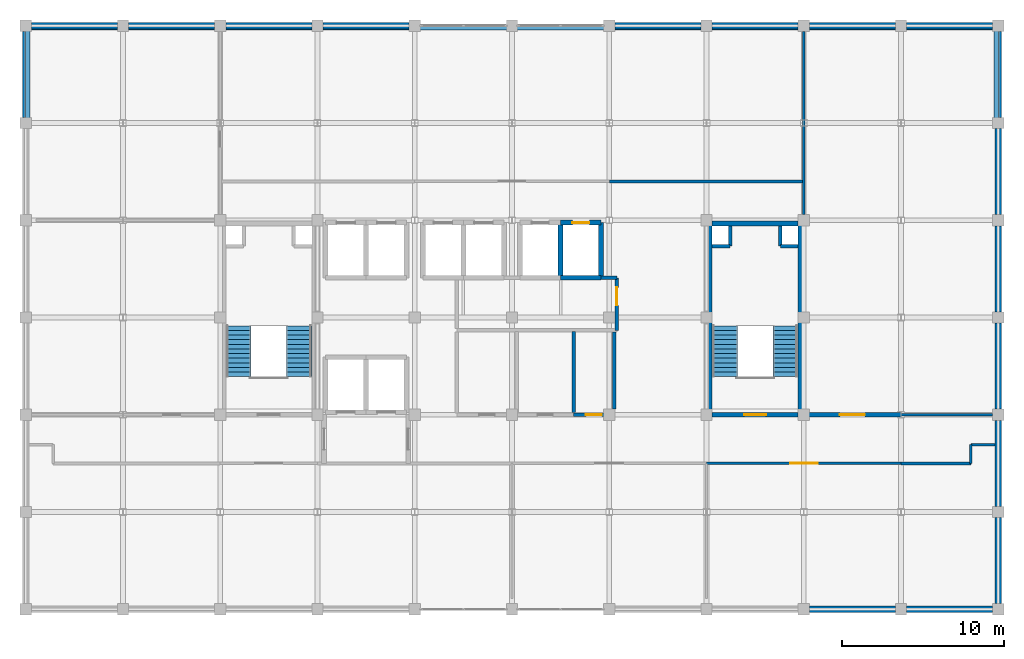
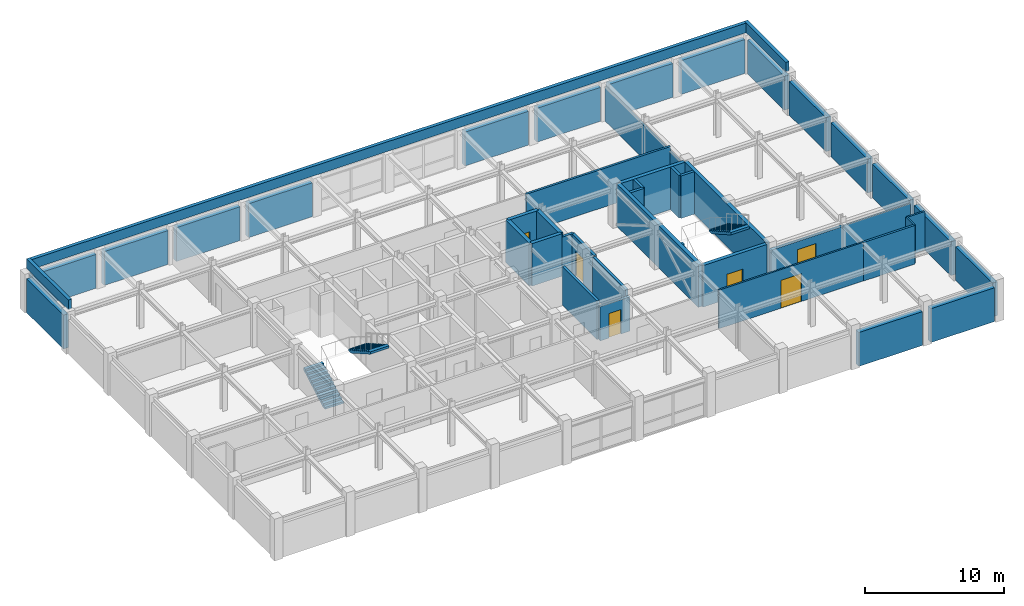
# One storey, part 11 of 12: 45 walls, 6 doors, 4 stair flights, 6 openings, 2 elements without a shape of their own.
"""IFC4 building model written with IfcOpenShell, lengths in metres."""

from ifc_helpers import new_model, si_unit, direction, frame, frame_2d, origin, place, context, subcontext, project, spatial, polyline, rectangle, outline, extrude, material, layer, layer_set, type_object, element, fill, aggregate, save


model = new_model("IFC4")

# Units and contexts
model_context = context("Model", 3, precision=1e-05, world=origin(), true_north=direction((0.0, 1.0)))
body_context = subcontext(model_context, "Body", "Model", "MODEL_VIEW")
ifc_project = project(units=[si_unit("LENGTHUNIT", "METRE"), si_unit("AREAUNIT", "SQUARE_METRE"), si_unit("VOLUMEUNIT", "CUBIC_METRE"), si_unit("PLANEANGLEUNIT", "RADIAN"), si_unit("MASSUNIT", "GRAM", prefix="KILO")], contexts=[model_context])

# Site, building, storey
site_placement = place(None, origin())
site = spatial("IfcSite", under=ifc_project, at=site_placement, CompositionType="ELEMENT")
building_placement = place(site_placement, origin())
building = spatial("IfcBuilding", under=site, at=building_placement, Name="Zlatovratsky Civic Hall", CompositionType="ELEMENT")
storey_placement = place(building_placement, frame((0.0, 0.0, 32.699951171875)))
storey = spatial("IfcBuildingStorey", under=building, at=storey_placement, Name="L08", CompositionType="ELEMENT", Elevation=32.699951171875)

# Walls
ifc_material_1 = material(Name="Acoustic ceramic blockwork", Category="masonry")
ifc_layer_1 = layer(ifc_material_1, 0.179931640625)
ifc_layer_set_1 = layer_set([ifc_layer_1], Name="Acoustic ceramic blockwork")
wall_type_1 = type_object("IfcWallType", Name="Wall_AcousticChamberPartition_180", PredefinedType="PARTITIONING", material=ifc_layer_set_1)
wall_1_placement = place(storey_placement, frame((108.0, 81.0, 0.0), z_axis=(0.0, 0.0, 1.0), x_axis=(1.0, 0.0, 0.0)))
element("IfcWall", 1, at=wall_1_placement, inside=storey, type_object=wall_type_1, Name="WL-6427", PredefinedType="PARTITIONING", context=body_context, shape_type="SweptSolid", body=[
    extrude(rectangle(XDim=4.300048828125, YDim=0.179931640625, at=frame_2d((2.14990234375, 0.0))), origin(), (0.0, 0.0, 1.0), 3.400146484375),
])
wall_2_placement = place(storey_placement, frame((90.0, 98.39990234375, 0.0), z_axis=(0.0, 0.0, 1.0), x_axis=(1.0, 0.0, 0.0)))
element("IfcWall", 2, at=wall_2_placement, inside=storey, type_object=wall_type_1, Name="WL-6433", PredefinedType="PARTITIONING", context=body_context, shape_type="SweptSolid", body=[
    extrude(rectangle(XDim=12.0, YDim=0.179931640625, at=frame_2d((6.0, 0.0))), origin(), (0.0, 0.0, 1.0), 3.400146484375),
])

# Wall, opening, door
ifc_layer_2 = layer(ifc_material_1, 0.260009765625)
ifc_layer_set_2 = layer_set([ifc_layer_2], Name="Acoustic ceramic blockwork")
wall_type_2 = type_object("IfcWallType", Name="Wall_ArchiveCompartment_260", PredefinedType="PARTITIONING", material=ifc_layer_set_2)
wall_3_placement = place(storey_placement, frame((102.0, 84.0, 0.0), z_axis=(0.0, 0.0, 1.0), x_axis=(1.0, 0.0, 0.0)))
wall_3 = element("IfcWall", 3, at=wall_3_placement, inside=storey, type_object=wall_type_2, Name="WL-6416", PredefinedType="PARTITIONING", context=body_context, shape_type="SweptSolid", body=[
    extrude(rectangle(XDim=6.0, YDim=0.260009765625, at=frame_2d((3.0, 0.0))), origin(), (0.0, 0.0, 1.0), 3.011962890625),
])
opening_1_placement = place(wall_3_placement, frame((2.22509765625, 0.0, 0.0)))
opening_1 = element("IfcOpeningElement", 4, at=opening_1_placement, cuts=wall_3, Name="Opening D-15", PredefinedType="OPENING", context=body_context, shape_type="SweptSolid", body=[
    extrude(rectangle(XDim=1.550048828125, YDim=2.300048828125, at=frame_2d((0.77490234375, 1.14990234375))), frame((0.0, 0.14501953125, 0.0), z_axis=(0.0, -1.0, 0.0), x_axis=(1.0, 0.0, 0.0)), (0.0, 0.0, 1.0), 0.289794921875),
])
ifc_material_2 = material(Name="Insulated painted fire-rated steel leaf", Category="steel")
door_type_1 = type_object("IfcDoorType", Name="Door_CompactArchiveFire_1550x2300", OperationType="DOUBLE_DOOR_SINGLE_SWING", PredefinedType="DOOR", material=ifc_material_2)
door_1_placement = place(opening_1_placement, origin())
door_1 = element("IfcDoor", 5, at=door_1_placement, inside=storey, type_object=door_type_1, Name="DR-5413", OperationType="DOUBLE_DOOR_SINGLE_SWING", OverallHeight=2.300048828125, OverallWidth=1.550048828125, PredefinedType="DOOR", context=body_context, shape_type="SweptSolid", body=[
    extrude(rectangle(XDim=1.550048828125, YDim=2.300048828125, at=frame_2d((0.77490234375, 1.14990234375))), frame((0.0, 0.02490234375, 0.0), z_axis=(0.0, -1.0, 0.0), x_axis=(1.0, 0.0, 0.0)), (0.0, 0.0, 1.0), 0.050048828125),
])
fill(opening_1, door_1)

ifc_material_3 = material(Name="Fire-rated gypsum board framing", Category="gypsum")
ifc_layer_3 = layer(ifc_material_3, 0.139892578125)
ifc_layer_set_3 = layer_set([ifc_layer_3], Name="Fire-rated gypsum board framing")
wall_type_3 = type_object("IfcWallType", Name="Wall_OfficePartition_140", PredefinedType="PARTITIONING", material=ifc_layer_set_3)
wall_4_placement = place(storey_placement, frame((96.0, 81.0, 0.0), z_axis=(0.0, 0.0, 1.0), x_axis=(1.0, 0.0, 0.0)))
wall_4 = element("IfcWall", 6, at=wall_4_placement, inside=storey, type_object=wall_type_3, Name="WL-6413", PredefinedType="PARTITIONING", context=body_context, shape_type="SweptSolid", body=[
    extrude(rectangle(XDim=12.0, YDim=0.139892578125, at=frame_2d((6.0, 0.0))), origin(), (0.0, 0.0, 1.0), 3.400146484375),
])
opening_2_placement = place(wall_4_placement, frame((5.14990234375, 0.0, 0.0)))
opening_2 = element("IfcOpeningElement", 7, at=opening_2_placement, cuts=wall_4, Name="Opening D-26", PredefinedType="OPENING", context=body_context, shape_type="SweptSolid", body=[
    extrude(rectangle(XDim=1.699951171875, YDim=2.449951171875, at=frame_2d((0.85009765625, 1.22509765625))), frame((0.0, 0.0849609375, 0.0), z_axis=(0.0, -1.0, 0.0), x_axis=(1.0, 0.0, 0.0)), (0.0, 0.0, 1.0), 0.169677734375),
])
ifc_material_4 = material(Name="Solid oak joinery in steel frame", Category="steel")
door_type_2 = type_object("IfcDoorType", Name="Door_CommissionBoardroom_1700x2450", OperationType="DOUBLE_DOOR_SINGLE_SWING", PredefinedType="DOOR", material=ifc_material_4)
door_2_placement = place(opening_2_placement, origin())
door_2 = element("IfcDoor", 8, at=door_2_placement, inside=storey, type_object=door_type_2, Name="DR-5410", OperationType="DOUBLE_DOOR_SINGLE_SWING", OverallHeight=2.449951171875, OverallWidth=1.699951171875, PredefinedType="DOOR", context=body_context, shape_type="SweptSolid", body=[
    extrude(rectangle(XDim=1.699951171875, YDim=2.449951171875, at=frame_2d((0.85009765625, 1.22509765625))), frame((0.0, 0.02490234375, 0.0), z_axis=(0.0, -1.0, 0.0), x_axis=(1.0, 0.0, 0.0)), (0.0, 0.0, 1.0), 0.050048828125),
])
fill(opening_2, door_2)

# Walls
wall_5_placement = place(storey_placement, frame((112.300048828125, 81.0, 0.0), z_axis=(0.0, 0.0, 1.0), x_axis=(0.0, 1.0, 0.0)))
element("IfcWall", 9, at=wall_5_placement, inside=storey, type_object=wall_type_3, Name="WL-6430", PredefinedType="PARTITIONING", context=body_context, shape_type="SweptSolid", body=[
    extrude(rectangle(XDim=1.14990234375, YDim=0.139892578125, at=frame_2d((0.574951171875, 0.0))), origin(), (0.0, 0.0, 1.0), 3.400146484375),
])
wall_6_placement = place(storey_placement, frame((112.300048828125, 82.14990234375, 0.0), z_axis=(0.0, 0.0, 1.0), x_axis=(1.0, 0.0, 0.0)))
element("IfcWall", 10, at=wall_6_placement, inside=storey, type_object=wall_type_3, Name="WL-6431", PredefinedType="PARTITIONING", context=body_context, shape_type="SweptSolid", body=[
    extrude(rectangle(XDim=1.489990234375, YDim=0.139892578125, at=frame_2d((0.7451171875, 0.0))), origin(), (0.0, 0.0, 1.0), 3.400146484375),
])
wall_7_placement = place(storey_placement, frame((102.0, 96.35009765625, 0.0), z_axis=(0.0, 0.0, 1.0), x_axis=(0.0, 1.0, 0.0)))
element("IfcWall", 11, at=wall_7_placement, inside=storey, type_object=wall_type_3, Name="WL-6434", PredefinedType="PARTITIONING", context=body_context, shape_type="SweptSolid", body=[
    extrude(rectangle(XDim=11.2998046875, YDim=0.139892578125, at=frame_2d((5.64990234375, 0.0))), origin(), (0.0, 0.0, 1.0), 3.011962890625),
])
wall_8_placement = place(storey_placement, frame((108.0, 84.0, 0.0), z_axis=(0.0, 0.0, 1.0), x_axis=(1.0, 0.0, 0.0)))
element("IfcWall", 12, at=wall_8_placement, inside=storey, type_object=wall_type_3, Name="WL-6436", PredefinedType="PARTITIONING", context=body_context, shape_type="SweptSolid", body=[
    extrude(rectangle(XDim=5.64990234375, YDim=0.139892578125, at=frame_2d((2.824951171875, 0.0))), origin(), (0.0, 0.0, 1.0), 3.011962890625),
])
ifc_material_5 = material(Name="Podolsk limestone ashlar", Category="masonry")
ifc_layer_4 = layer(ifc_material_5, 0.280029296875)
ifc_layer_set_4 = layer_set([ifc_layer_4], Name="Podolsk limestone ashlar")
wall_type_4 = type_object("IfcWallType", Name="Wall_RoofParapetStone_280", PredefinedType="PARAPET", material=ifc_layer_set_4)
wall_9_placement = place(storey_placement, frame((54.0, 107.860107421875, 3.60009765625), z_axis=(0.0, 0.0, 1.0), x_axis=(1.0, 0.0, 0.0)))
element("IfcWall", 13, at=wall_9_placement, inside=storey, type_object=wall_type_4, Name="WL-0711", PredefinedType="PARAPET", context=body_context, shape_type="SweptSolid", body=[
    extrude(rectangle(XDim=60.0, YDim=0.280029296875, at=frame_2d((30.0, 0.0))), origin(), (0.0, 0.0, 1.0), 0.849853515625),
])
for number, where, z_axis, x_axis, name in (
    (14, (54.139892578125, 102.0, 3.60009765625), (0.0, 0.0, 1.0), (0.0, 1.0, 0.0), "WL-0712"),
    (15, (113.860107421875, 102.0, 3.60009765625), (0.0, 0.0, 1.0), (0.0, 1.0, 0.0), "WL-0713"),
):
    element("IfcWall", number, at=place(storey_placement, frame(where, z_axis=z_axis, x_axis=x_axis)), inside=storey, type_object=wall_type_4, Name=name, PredefinedType="PARAPET", context=body_context, shape_type="SweptSolid", body=[
        extrude(rectangle(XDim=6.0, YDim=0.280029296875, at=frame_2d((3.0, 0.0))), origin(), (0.0, 0.0, 1.0), 0.849853515625),
    ])
ifc_layer_5 = layer(ifc_material_1, 0.219970703125)
ifc_layer_set_5 = layer_set([ifc_layer_5], Name="Acoustic ceramic blockwork")
wall_type_5 = type_object("IfcWallType", Name="Wall_SanitaryWetCore_220", PredefinedType="PARTITIONING", material=ifc_layer_set_5)
wall_10_placement = place(storey_placement, frame((97.449951171875, 94.39990234375, 0.0), z_axis=(0.0, 0.0, 1.0), x_axis=(0.0, 1.0, 0.0)))
element("IfcWall", 16, at=wall_10_placement, inside=storey, type_object=wall_type_5, Name="WL-5227", PredefinedType="PARTITIONING", context=body_context, shape_type="SweptSolid", body=[
    extrude(rectangle(XDim=1.25, YDim=0.219970703125, at=frame_2d((0.625, 0.0))), origin(), (0.0, 0.0, 1.0), 3.739990234375),
])
wall_11_placement = place(storey_placement, frame((96.35009765625, 94.39990234375, 0.0), z_axis=(0.0, 0.0, 1.0), x_axis=(1.0, 0.0, 0.0)))
element("IfcWall", 17, at=wall_11_placement, inside=storey, type_object=wall_type_5, Name="WL-5228", PredefinedType="PARTITIONING", context=body_context, shape_type="SweptSolid", body=[
    extrude(rectangle(XDim=1.099853515625, YDim=0.219970703125, at=frame_2d((0.5498046875, 0.0))), origin(), (0.0, 0.0, 1.0), 3.739990234375),
])
wall_12_placement = place(storey_placement, frame((100.550048828125, 94.39990234375, 0.0), z_axis=(0.0, 0.0, 1.0), x_axis=(0.0, 1.0, 0.0)))
element("IfcWall", 18, at=wall_12_placement, inside=storey, type_object=wall_type_5, Name="WL-5229", PredefinedType="PARTITIONING", context=body_context, shape_type="SweptSolid", body=[
    extrude(rectangle(XDim=1.25, YDim=0.219970703125, at=frame_2d((0.625, 0.0))), origin(), (0.0, 0.0, 1.0), 3.739990234375),
])
wall_13_placement = place(storey_placement, frame((100.550048828125, 94.39990234375, 0.0), z_axis=(0.0, 0.0, 1.0), x_axis=(1.0, 0.0, 0.0)))
element("IfcWall", 19, at=wall_13_placement, inside=storey, type_object=wall_type_5, Name="WL-5230", PredefinedType="PARTITIONING", context=body_context, shape_type="SweptSolid", body=[
    extrude(rectangle(XDim=1.099853515625, YDim=0.219970703125, at=frame_2d((0.5498046875, 0.0))), origin(), (0.0, 0.0, 1.0), 3.739990234375),
])

# Wall, opening, door
wall_14_placement = place(storey_placement, frame((87.800048828125, 84.0, 0.0), z_axis=(0.0, 0.0, 1.0), x_axis=(1.0, 0.0, 0.0)))
wall_14 = element("IfcWall", 20, at=wall_14_placement, inside=storey, type_object=wall_type_5, Name="WL-6405", PredefinedType="PARTITIONING", context=body_context, shape_type="SweptSolid", body=[
    extrude(rectangle(XDim=2.5, YDim=0.219970703125, at=frame_2d((1.25, 0.0))), origin(), (0.0, 0.0, 1.0), 3.011962890625),
])
opening_3_placement = place(wall_14_placement, frame((0.75, 0.0, 0.0)))
opening_3 = element("IfcOpeningElement", 21, at=opening_3_placement, cuts=wall_14, Name="Opening D-20", PredefinedType="OPENING", context=body_context, shape_type="SweptSolid", body=[
    extrude(rectangle(XDim=1.0, YDim=2.14990234375, at=frame_2d((0.5, 1.074951171875))), frame((0.0, 0.125, 0.0), z_axis=(0.0, -1.0, 0.0), x_axis=(1.0, 0.0, 0.0)), (0.0, 0.0, 1.0), 0.249755859375),
])
door_type_3 = type_object("IfcDoorType", Name="Door_AccessibleWC_1000x2150", OperationType="NOTDEFINED", PredefinedType="DOOR", material=ifc_material_4)
door_3_placement = place(opening_3_placement, origin())
door_3 = element("IfcDoor", 22, at=door_3_placement, inside=storey, type_object=door_type_3, Name="DR-5405", OperationType="SINGLE_SWING_LEFT", OverallHeight=2.14990234375, OverallWidth=1.0, PredefinedType="DOOR", context=body_context, shape_type="SweptSolid", body=[
    extrude(rectangle(XDim=1.0, YDim=2.14990234375, at=frame_2d((0.5, 1.074951171875))), frame((0.0, 0.02490234375, 0.0), z_axis=(0.0, -1.0, 0.0), x_axis=(1.0, 0.0, 0.0)), (0.0, 0.0, 1.0), 0.050048828125),
])
fill(opening_3, door_3)

# Wall
wall_15_placement = place(storey_placement, frame((87.800048828125, 84.14990234375, 0.0), z_axis=(0.0, 0.0, 1.0), x_axis=(0.0, 1.0, 0.0)))
element("IfcWall", 23, at=wall_15_placement, inside=storey, type_object=wall_type_5, Name="WL-6407", PredefinedType="PARTITIONING", context=body_context, shape_type="SweptSolid", body=[
    extrude(rectangle(XDim=5.0, YDim=0.219970703125, at=frame_2d((2.5, 0.0))), origin(), (0.0, 0.0, 1.0), 3.400146484375),
])

# Wall, opening, door
wall_16_placement = place(storey_placement, frame((90.469970703125, 89.199951171875, 0.0), z_axis=(0.0, 0.0, 1.0), x_axis=(0.0, 1.0, 0.0)))
wall_16 = element("IfcWall", 24, at=wall_16_placement, inside=storey, type_object=wall_type_5, Name="WL-6409", PredefinedType="PARTITIONING", context=body_context, shape_type="SweptSolid", body=[
    extrude(rectangle(XDim=3.25, YDim=0.219970703125, at=frame_2d((1.625, 0.0))), origin(), (0.0, 0.0, 1.0), 3.400146484375),
])
opening_4_placement = place(wall_16_placement, frame((1.550048828125, 0.0, 0.0)))
opening_4 = element("IfcOpeningElement", 25, at=opening_4_placement, cuts=wall_16, Name="Opening D-30", PredefinedType="OPENING", context=body_context, shape_type="SweptSolid", body=[
    extrude(rectangle(XDim=1.10009765625, YDim=2.14990234375, at=frame_2d((0.550048828125, 1.074951171875))), frame((0.0, 0.125, 0.0), z_axis=(0.0, -1.0, 0.0), x_axis=(1.0, 0.0, 0.0)), (0.0, 0.0, 1.0), 0.249755859375),
])
door_type_4 = type_object("IfcDoorType", Name="Door_ElectricalRoom_1100x2150", OperationType="NOTDEFINED", PredefinedType="DOOR", material=ifc_material_2)
door_4_placement = place(opening_4_placement, origin())
door_4 = element("IfcDoor", 26, at=door_4_placement, inside=storey, type_object=door_type_4, Name="DR-5406", OperationType="SINGLE_SWING_RIGHT", OverallHeight=2.14990234375, OverallWidth=1.10009765625, PredefinedType="DOOR", context=body_context, shape_type="SweptSolid", body=[
    extrude(rectangle(XDim=1.10009765625, YDim=2.14990234375, at=frame_2d((0.550048828125, 1.074951171875))), frame((0.0, 0.02490234375, 0.0), z_axis=(0.0, -1.0, 0.0), x_axis=(1.0, 0.0, 0.0)), (0.0, 0.0, 1.0), 0.050048828125),
])
fill(opening_4, door_4)

# Walls
wall_17_placement = place(storey_placement, frame((90.300048828125, 84.360107421875, 0.0), z_axis=(0.0, 0.0, 1.0), x_axis=(0.0, 1.0, 0.0)))
element("IfcWall", 27, at=wall_17_placement, inside=storey, type_object=wall_type_5, Name="WL-6421", PredefinedType="PARTITIONING", context=body_context, shape_type="SweptSolid", body=[
    extrude(rectangle(XDim=4.72998046875, YDim=0.219970703125, at=frame_2d((2.364990234375, 0.0))), origin(), (0.0, 0.0, 1.0), 3.400146484375),
])
wall_18_placement = place(storey_placement, frame((89.5, 92.449951171875, 0.0), z_axis=(0.0, 0.0, 1.0), x_axis=(1.0, 0.0, 0.0)))
element("IfcWall", 28, at=wall_18_placement, inside=storey, type_object=wall_type_5, Name="WL-6424", PredefinedType="PARTITIONING", context=body_context, shape_type="SweptSolid", body=[
    extrude(rectangle(XDim=0.969970703125, YDim=0.219970703125, at=frame_2d((0.48486328125, 0.0))), origin(), (0.0, 0.0, 1.0), 3.400146484375),
])

# Wall, opening, door
ifc_material_6 = material(Name="Concrete C35/45 (B40)", Category="concrete")
ifc_layer_6 = layer(ifc_material_6, 0.300048828125)
ifc_layer_set_6 = layer_set([ifc_layer_6], Name="Concrete C35/45 (B40)")
wall_type_6 = type_object("IfcWallType", Name="Wall_StairAndLiftShaft_300", PredefinedType="SHEAR", material=ifc_layer_set_6)
wall_19_placement = place(storey_placement, frame((96.35009765625, 84.0, 0.0), z_axis=(0.0, 0.0, 1.0), x_axis=(1.0, 0.0, 0.0)))
wall_19 = element("IfcWall", 29, at=wall_19_placement, inside=storey, type_object=wall_type_6, Name="WL-5223", PredefinedType="SHEAR", context=body_context, shape_type="SweptSolid", body=[
    extrude(rectangle(XDim=5.2998046875, YDim=0.300048828125, at=frame_2d((2.64990234375, 0.0))), origin(), (0.0, 0.0, 1.0), 3.66015625),
])
opening_5_placement = place(wall_19_placement, frame((1.97509765625, 0.0, 0.0)))
opening_5 = element("IfcOpeningElement", 30, at=opening_5_placement, cuts=wall_19, Name="Opening D-17", PredefinedType="OPENING", context=body_context, shape_type="SweptSolid", body=[
    extrude(rectangle(XDim=1.35009765625, YDim=2.199951171875, at=frame_2d((0.675048828125, 1.10009765625))), frame((0.0, 0.1650390625, 0.0), z_axis=(0.0, -1.0, 0.0), x_axis=(1.0, 0.0, 0.0)), (0.0, 0.0, 1.0), 0.329833984375),
])
door_type_5 = type_object("IfcDoorType", Name="Door_StairwellFireTower_1350x2200", OperationType="NOTDEFINED", PredefinedType="DOOR", material=ifc_material_2)
door_5_placement = place(opening_5_placement, origin())
door_5 = element("IfcDoor", 31, at=door_5_placement, inside=storey, type_object=door_type_5, Name="DR-5028", OperationType="SINGLE_SWING_LEFT", OverallHeight=2.199951171875, OverallWidth=1.35009765625, PredefinedType="DOOR", context=body_context, shape_type="SweptSolid", body=[
    extrude(rectangle(XDim=1.35009765625, YDim=2.199951171875, at=frame_2d((0.675048828125, 1.10009765625))), frame((0.0, 0.02490234375, 0.0), z_axis=(0.0, -1.0, 0.0), x_axis=(1.0, 0.0, 0.0)), (0.0, 0.0, 1.0), 0.050048828125),
])
fill(opening_5, door_5)

# Walls
wall_20_placement = place(storey_placement, frame((96.35009765625, 95.800048828125, 0.0), z_axis=(0.0, 0.0, 1.0), x_axis=(1.0, 0.0, 0.0)))
element("IfcWall", 32, at=wall_20_placement, inside=storey, type_object=wall_type_6, Name="WL-5224", PredefinedType="SHEAR", context=body_context, shape_type="SweptSolid", body=[
    extrude(rectangle(XDim=5.2998046875, YDim=0.300048828125, at=frame_2d((2.64990234375, 0.0))), origin(), (0.0, 0.0, 1.0), 3.739990234375),
])
for number, where, z_axis, x_axis, name in (
    (33, (96.199951171875, 84.0, 0.0), (0.0, 0.0, 1.0), (0.0, 1.0, 0.0), "WL-5225"),
    (34, (101.800048828125, 84.0, 0.0), (0.0, 0.0, 1.0), (0.0, 1.0, 0.0), "WL-5226"),
):
    element("IfcWall", number, at=place(storey_placement, frame(where, z_axis=z_axis, x_axis=x_axis)), inside=storey, type_object=wall_type_6, Name=name, PredefinedType="SHEAR", context=body_context, shape_type="SweptSolid", body=[
        extrude(rectangle(XDim=11.800048828125, YDim=0.300048828125, at=frame_2d((5.89990234375, 0.0))), origin(), (0.0, 0.0, 1.0), 3.739990234375),
    ])

# Wall, opening, door
wall_21_placement = place(storey_placement, frame((87.0, 95.85009765625, 0.0), z_axis=(0.0, 0.0, 1.0), x_axis=(1.0, 0.0, 0.0)))
wall_21 = element("IfcWall", 35, at=wall_21_placement, inside=storey, type_object=wall_type_6, Name="WL-5957", PredefinedType="SHEAR", context=body_context, shape_type="SweptSolid", body=[
    extrude(rectangle(XDim=2.5, YDim=0.300048828125, at=frame_2d((1.25, 0.0))), origin(), (0.0, 0.0, 1.0), 3.739990234375),
])
opening_6_placement = place(wall_21_placement, frame((0.72509765625, 0.0, 0.0)))
opening_6 = element("IfcOpeningElement", 36, at=opening_6_placement, cuts=wall_21, Name="Opening LD-03", PredefinedType="OPENING", context=body_context, shape_type="SweptSolid", body=[
    extrude(rectangle(XDim=1.050048828125, YDim=2.10009765625, at=frame_2d((0.52490234375, 1.050048828125))), frame((0.0, 0.1650390625, 0.0), z_axis=(0.0, -1.0, 0.0), x_axis=(1.0, 0.0, 0.0)), (0.0, 0.0, 1.0), 0.329833984375),
])
ifc_material_7 = material(Name="Brushed stainless steel AISI 304", Category="steel")
door_type_6 = type_object("IfcDoorType", Name="Door_LiftLandingMidRise_1050x2100", OperationType="DOUBLE_DOOR_SLIDING", PredefinedType="DOOR", material=ifc_material_7)
door_6_placement = place(opening_6_placement, origin())
door_6 = element("IfcDoor", 37, at=door_6_placement, inside=storey, type_object=door_type_6, Name="Lift landing door LD-5192", OperationType="DOUBLE_DOOR_SLIDING", OverallHeight=2.10009765625, OverallWidth=1.050048828125, PredefinedType="DOOR", context=body_context, shape_type="SweptSolid", body=[
    extrude(rectangle(XDim=1.050048828125, YDim=2.10009765625, at=frame_2d((0.52490234375, 1.050048828125))), frame((0.0, 0.02490234375, 0.0), z_axis=(0.0, -1.0, 0.0), x_axis=(1.0, 0.0, 0.0)), (0.0, 0.0, 1.0), 0.050048828125),
])
fill(opening_6, door_6)

# Walls
wall_22_placement = place(storey_placement, frame((87.0, 92.449951171875, 0.0), z_axis=(0.0, 0.0, 1.0), x_axis=(1.0, 0.0, 0.0)))
element("IfcWall", 38, at=wall_22_placement, inside=storey, type_object=wall_type_6, Name="WL-5958", PredefinedType="SHEAR", context=body_context, shape_type="SweptSolid", body=[
    extrude(rectangle(XDim=2.5, YDim=0.300048828125, at=frame_2d((1.25, 0.0))), origin(), (0.0, 0.0, 1.0), 3.739990234375),
])
for number, where, z_axis, x_axis, name in (
    (39, (87.0, 92.449951171875, 0.0), (0.0, 0.0, 1.0), (0.0, 1.0, 0.0), "WL-5959"),
    (40, (89.5, 92.449951171875, 0.0), (0.0, 0.0, 1.0), (0.0, 1.0, 0.0), "WL-5960"),
):
    element("IfcWall", number, at=place(storey_placement, frame(where, z_axis=z_axis, x_axis=x_axis)), inside=storey, type_object=wall_type_6, Name=name, PredefinedType="SHEAR", context=body_context, shape_type="SweptSolid", body=[
        extrude(rectangle(XDim=3.400146484375, YDim=0.300048828125, at=frame_2d((1.7001953125, 0.0))), origin(), (0.0, 0.0, 1.0), 3.739990234375),
    ])
ifc_layer_7 = layer(ifc_material_1, 0.280029296875, Name="Backing")
ifc_layer_8 = layer(ifc_material_5, 0.139892578125, Name="Finish")
ifc_layer_set_7 = layer_set([ifc_layer_7, ifc_layer_8], Name="Acoustic ceramic blockwork")
wall_type_7 = type_object("IfcWallType", Name="Wall_TowerLimestoneAshlar_420", PredefinedType="SOLIDWALL", material=ifc_layer_set_7)
for number, where, z_axis, x_axis, name in (
    (41, (102.35009765625, 72.0, 0.0), (0.0, 0.0, 1.0), (1.0, 0.0, 0.0), "WL-0479"),
    (42, (108.35009765625, 72.0, 0.0), (0.0, 0.0, 1.0), (1.0, 0.0, 0.0), "WL-0480"),
    (43, (54.35009765625, 108.0, 0.0), (0.0, 0.0, 1.0), (1.0, 0.0, 0.0), "WL-0481"),
    (44, (60.35009765625, 108.0, 0.0), (0.0, 0.0, 1.0), (1.0, 0.0, 0.0), "WL-0482"),
    (45, (66.35009765625, 108.0, 0.0), (0.0, 0.0, 1.0), (1.0, 0.0, 0.0), "WL-0483"),
    (46, (72.35009765625, 108.0, 0.0), (0.0, 0.0, 1.0), (1.0, 0.0, 0.0), "WL-0484"),
    (47, (90.35009765625, 108.0, 0.0), (0.0, 0.0, 1.0), (1.0, 0.0, 0.0), "WL-0485"),
    (48, (96.35009765625, 108.0, 0.0), (0.0, 0.0, 1.0), (1.0, 0.0, 0.0), "WL-0486"),
    (49, (102.35009765625, 108.0, 0.0), (0.0, 0.0, 1.0), (1.0, 0.0, 0.0), "WL-0487"),
    (50, (108.35009765625, 108.0, 0.0), (0.0, 0.0, 1.0), (1.0, 0.0, 0.0), "WL-0488"),
    (51, (54.0, 102.35009765625, 0.0), (0.0, 0.0, 1.0), (0.0, 1.0, 0.0), "WL-0494"),
    (52, (114.0, 72.35009765625, 0.0), (0.0, 0.0, 1.0), (0.0, 1.0, 0.0), "WL-0495"),
    (53, (114.0, 78.35009765625, 0.0), (0.0, 0.0, 1.0), (0.0, 1.0, 0.0), "WL-0496"),
    (54, (114.0, 84.35009765625, 0.0), (0.0, 0.0, 1.0), (0.0, 1.0, 0.0), "WL-0497"),
    (55, (114.0, 90.35009765625, 0.0), (0.0, 0.0, 1.0), (0.0, 1.0, 0.0), "WL-0498"),
    (56, (114.0, 96.35009765625, 0.0), (0.0, 0.0, 1.0), (0.0, 1.0, 0.0), "WL-0499"),
    (57, (114.0, 102.35009765625, 0.0), (0.0, 0.0, 1.0), (0.0, 1.0, 0.0), "WL-0500"),
):
    element("IfcWall", number, at=place(storey_placement, frame(where, z_axis=z_axis, x_axis=x_axis)), inside=storey, type_object=wall_type_7, Name=name, PredefinedType="SOLIDWALL", context=body_context, shape_type="SweptSolid", body=[
        extrude(rectangle(XDim=5.2998046875, YDim=0.419921875, at=frame_2d((2.64990234375, 0.0))), origin(), (0.0, 0.0, 1.0), 2.97998046875),
    ])

# Stair, stair flights
ifc_material_8 = material(Name="Concrete C30/37 (B35)", Category="concrete")
stair_type = type_object("IfcStairType", Name="Stair_HALF_24R_1550W_04", PredefinedType="HALF_TURN_STAIR", material=ifc_material_8)
stair_1_placement = place(storey_placement, origin())
stair_1 = element("IfcStair", 58, at=stair_1_placement, inside=storey, type_object=stair_type, Name="ST-009", PredefinedType="HALF_TURN_STAIR")
stair_flight_type = type_object("IfcStairFlightType", Name="StairFlight_12R_1550W_04", PredefinedType="STRAIGHT", material=ifc_material_8)
stair_flight_1_placement = place(storey_placement, frame((67.125, 86.35009765625, 0.0), z_axis=(0.0, 0.0, 1.0), x_axis=(0.0, 1.0, 0.0)))
stair_flight_1 = element("IfcStairFlight", 59, at=stair_flight_1_placement, type_object=stair_flight_type, Name="ST-009-F1", NumberOfRisers=12, NumberOfTreads=11, PredefinedType="STRAIGHT", RiserHeight=0.1625, TreadLength=0.285, context=body_context, shape_type="SweptSolid", body=[
    extrude(outline(polyline([(0.0, 0.0), (0.0, 0.16259765625), (0.284912109375, 0.16259765625), (0.284912109375, 0.324951171875), (0.570068359375, 0.324951171875), (0.570068359375, 0.487548828125), (0.85498046875, 0.487548828125), (0.85498046875, 0.64990234375), (1.139892578125, 0.64990234375), (1.139892578125, 0.8125), (1.425048828125, 0.8125), (1.425048828125, 0.97509765625), (1.7099609375, 0.97509765625), (1.7099609375, 1.137451171875), (1.9951171875, 1.137451171875), (1.9951171875, 1.300048828125), (2.280029296875, 1.300048828125), (2.280029296875, 1.46240234375), (2.56494140625, 1.46240234375), (2.56494140625, 1.625), (2.85009765625, 1.625), (2.85009765625, 1.78759765625), (3.135009765625, 1.78759765625), (3.135009765625, 1.949951171875), (3.135009765625, 1.580322265625), (0.36328125, 0.0), (0.0, 0.0)])), frame((0.0, 0.77490234375, 0.0), z_axis=(0.0, -1.0, 0.0), x_axis=(1.0, 0.0, 0.0)), (0.0, 0.0, 1.0), 1.550048828125),
])
stair_flight_2_placement = place(storey_placement, frame((70.875, 89.485107421875, 1.949951171875), z_axis=(0.0, 0.0, 1.0), x_axis=(0.0, -1.0, 0.0)))
stair_flight_2 = element("IfcStairFlight", 60, at=stair_flight_2_placement, type_object=stair_flight_type, Name="ST-009-F2", NumberOfRisers=12, NumberOfTreads=11, PredefinedType="STRAIGHT", RiserHeight=0.1625, TreadLength=0.285, context=body_context, shape_type="SweptSolid", body=[
    extrude(outline(polyline([(0.0, 0.0), (0.0, 0.16259765625), (0.284912109375, 0.16259765625), (0.284912109375, 0.324951171875), (0.570068359375, 0.324951171875), (0.570068359375, 0.487548828125), (0.85498046875, 0.487548828125), (0.85498046875, 0.64990234375), (1.139892578125, 0.64990234375), (1.139892578125, 0.8125), (1.425048828125, 0.8125), (1.425048828125, 0.97509765625), (1.7099609375, 0.97509765625), (1.7099609375, 1.137451171875), (1.9951171875, 1.137451171875), (1.9951171875, 1.300048828125), (2.280029296875, 1.300048828125), (2.280029296875, 1.46240234375), (2.56494140625, 1.46240234375), (2.56494140625, 1.625), (2.85009765625, 1.625), (2.85009765625, 1.78759765625), (3.135009765625, 1.78759765625), (3.135009765625, 1.949951171875), (3.135009765625, 1.580322265625), (0.36328125, 0.0), (0.0, 0.0)])), frame((0.0, 0.77490234375, 0.0), z_axis=(0.0, -1.0, 0.0), x_axis=(1.0, 0.0, 0.0)), (0.0, 0.0, 1.0), 1.550048828125),
])
aggregate(stair_1, [stair_flight_1, stair_flight_2])

stair_2_placement = place(storey_placement, origin())
stair_2 = element("IfcStair", 61, at=stair_2_placement, inside=storey, type_object=stair_type, Name="ST-028", PredefinedType="HALF_TURN_STAIR")
stair_flight_3_placement = place(storey_placement, frame((97.125, 86.35009765625, 0.0), z_axis=(0.0, 0.0, 1.0), x_axis=(0.0, 1.0, 0.0)))
stair_flight_3 = element("IfcStairFlight", 62, at=stair_flight_3_placement, type_object=stair_flight_type, Name="ST-028-F1", NumberOfRisers=12, NumberOfTreads=11, PredefinedType="STRAIGHT", RiserHeight=0.1625, TreadLength=0.285, context=body_context, shape_type="SweptSolid", body=[
    extrude(outline(polyline([(0.0, 0.0), (0.0, 0.16259765625), (0.284912109375, 0.16259765625), (0.284912109375, 0.324951171875), (0.570068359375, 0.324951171875), (0.570068359375, 0.487548828125), (0.85498046875, 0.487548828125), (0.85498046875, 0.64990234375), (1.139892578125, 0.64990234375), (1.139892578125, 0.8125), (1.425048828125, 0.8125), (1.425048828125, 0.97509765625), (1.7099609375, 0.97509765625), (1.7099609375, 1.137451171875), (1.9951171875, 1.137451171875), (1.9951171875, 1.300048828125), (2.280029296875, 1.300048828125), (2.280029296875, 1.46240234375), (2.56494140625, 1.46240234375), (2.56494140625, 1.625), (2.85009765625, 1.625), (2.85009765625, 1.78759765625), (3.135009765625, 1.78759765625), (3.135009765625, 1.949951171875), (3.135009765625, 1.580322265625), (0.36328125, 0.0), (0.0, 0.0)])), frame((0.0, 0.77490234375, 0.0), z_axis=(0.0, -1.0, 0.0), x_axis=(1.0, 0.0, 0.0)), (0.0, 0.0, 1.0), 1.550048828125),
])
stair_flight_4_placement = place(storey_placement, frame((100.875, 89.485107421875, 1.949951171875), z_axis=(0.0, 0.0, 1.0), x_axis=(0.0, -1.0, 0.0)))
stair_flight_4 = element("IfcStairFlight", 63, at=stair_flight_4_placement, type_object=stair_flight_type, Name="ST-028-F2", NumberOfRisers=12, NumberOfTreads=11, PredefinedType="STRAIGHT", RiserHeight=0.1625, TreadLength=0.285, context=body_context, shape_type="SweptSolid", body=[
    extrude(outline(polyline([(0.0, 0.0), (0.0, 0.16259765625), (0.284912109375, 0.16259765625), (0.284912109375, 0.324951171875), (0.570068359375, 0.324951171875), (0.570068359375, 0.487548828125), (0.85498046875, 0.487548828125), (0.85498046875, 0.64990234375), (1.139892578125, 0.64990234375), (1.139892578125, 0.8125), (1.425048828125, 0.8125), (1.425048828125, 0.97509765625), (1.7099609375, 0.97509765625), (1.7099609375, 1.137451171875), (1.9951171875, 1.137451171875), (1.9951171875, 1.300048828125), (2.280029296875, 1.300048828125), (2.280029296875, 1.46240234375), (2.56494140625, 1.46240234375), (2.56494140625, 1.625), (2.85009765625, 1.625), (2.85009765625, 1.78759765625), (3.135009765625, 1.78759765625), (3.135009765625, 1.949951171875), (3.135009765625, 1.580322265625), (0.36328125, 0.0), (0.0, 0.0)])), frame((0.0, 0.77490234375, 0.0), z_axis=(0.0, -1.0, 0.0), x_axis=(1.0, 0.0, 0.0)), (0.0, 0.0, 1.0), 1.550048828125),
])
aggregate(stair_2, [stair_flight_3, stair_flight_4])

save(model, "model.ifc")
